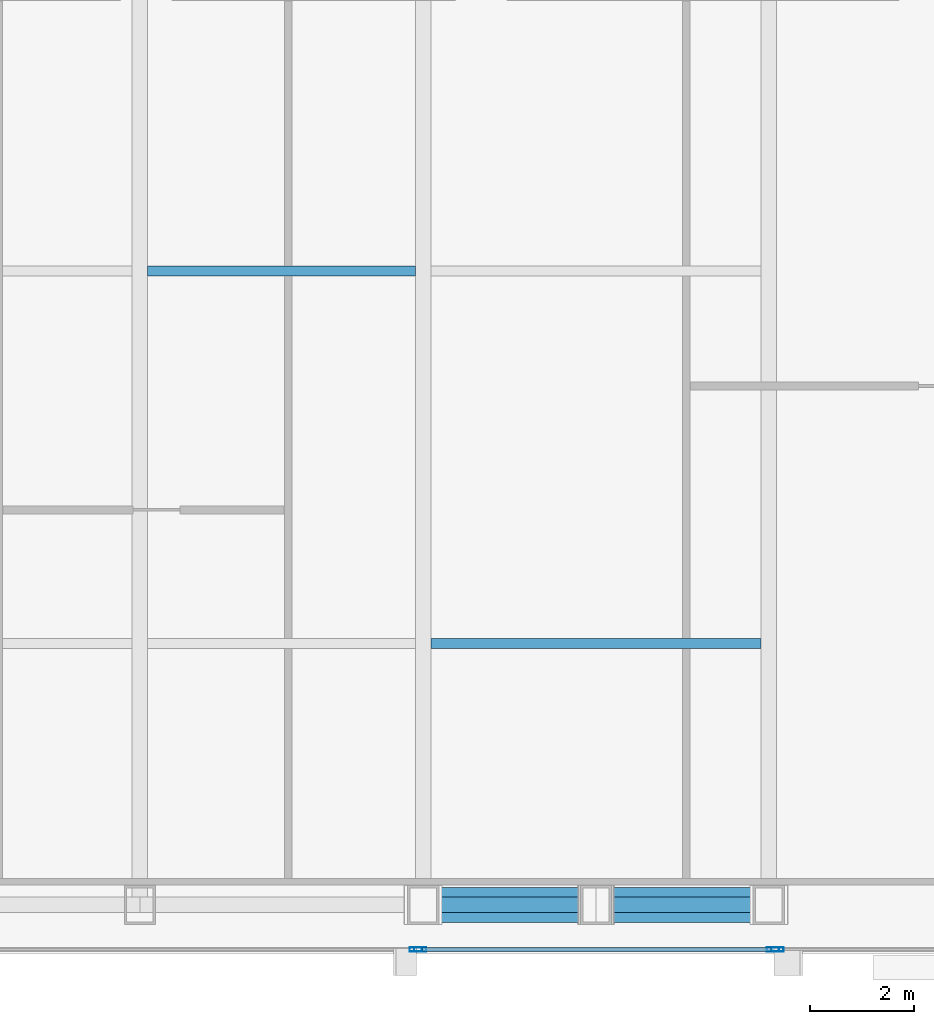
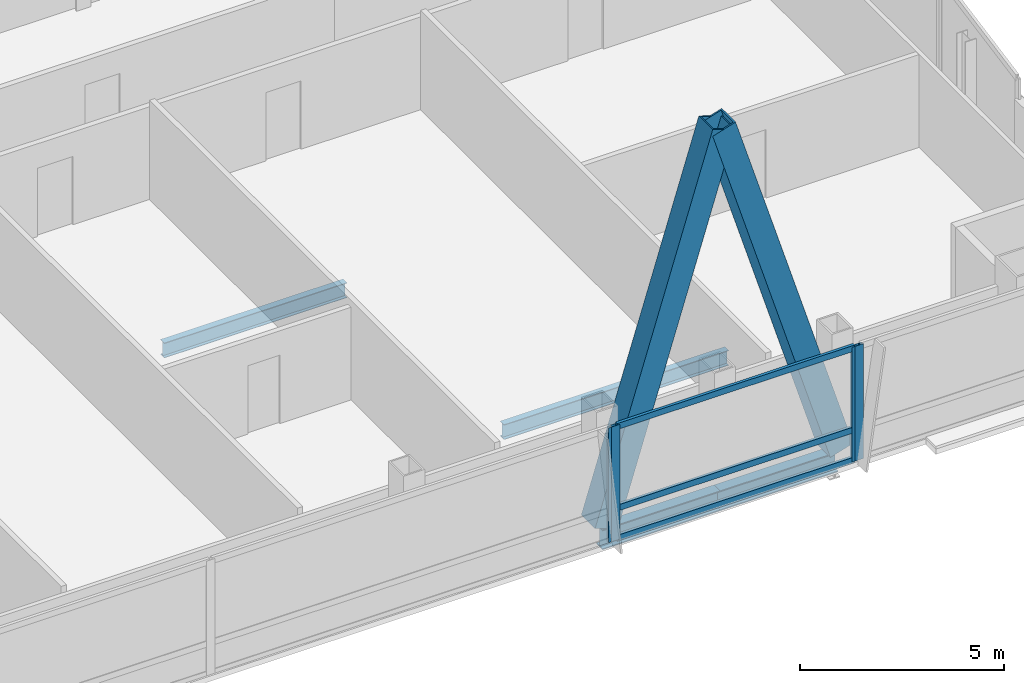
# One storey, part 14 of 30: 9 members, 4 beams, 3 elements without a shape of their own.
"""IFC4 building model written with IfcOpenShell, lengths in metres."""

from ifc_helpers import new_model, si_unit, direction, frame, origin, origin_2d, place, context, subcontext, project, spatial, hollow_rectangle, i_section, extrude, material, material_profile, profile_set, type_object, element, aggregate, save


model = new_model("IFC4")

# Units and contexts
model_context = context("Model", 3, precision=1e-05, world=origin(), true_north=direction((0.0, 1.0)))
body_context = subcontext(model_context, "Body", "Model", "MODEL_VIEW")
ifc_project = project(units=[si_unit("LENGTHUNIT", "METRE"), si_unit("AREAUNIT", "SQUARE_METRE"), si_unit("VOLUMEUNIT", "CUBIC_METRE"), si_unit("PLANEANGLEUNIT", "RADIAN"), si_unit("MASSUNIT", "GRAM", prefix="KILO")], contexts=[model_context])

# Site, building, storey
site_placement = place(None, origin())
site = spatial("IfcSite", under=ifc_project, at=site_placement, CompositionType="ELEMENT")
building_placement = place(site_placement, origin())
building = spatial("IfcBuilding", under=site, at=building_placement, Name="Khoronbel Lancet Exchange", CompositionType="ELEMENT")
storey_placement = place(building_placement, frame((0.0, 0.0, 239.0)))
storey = spatial("IfcBuildingStorey", under=building, at=storey_placement, Name="L61", CompositionType="ELEMENT", Elevation=239.0)

# Beams
ifc_material_1 = material(Name="Steel S355", Category="steel")
ifc_material_profile_1 = material_profile(ifc_material_1, i_section(OverallWidth=0.18994140625, OverallDepth=0.449951171875, WebThickness=0.009521484375, FlangeThickness=0.0146484375, at=origin_2d()), Name="IPE 450")
ifc_profile_set_1 = profile_set([ifc_material_profile_1], Name="Steel S355")
beam_type_1 = type_object("IfcBeamType", Name="BM-BJ4", PredefinedType="JOIST", material=ifc_profile_set_1)
beam_1_placement = place(storey_placement, frame((48.14990234375, 15.199951171875, -0.385009765625), z_axis=(1.0, 0.0, 0.0), x_axis=(0.0, 1.0, 0.0)))
element("IfcBeam", 1, at=beam_1_placement, inside=storey, type_object=beam_type_1, Name="Level L61 secondary composite joist J05", PredefinedType="JOIST", context=body_context, shape_type="SweptSolid", body=[
    extrude(i_section(OverallWidth=0.18994140625, OverallDepth=0.449951171875, WebThickness=0.009521484375, FlangeThickness=0.0146484375, at=origin_2d()), origin(), (0.0, 0.0, 1.0), 6.375),
])
beam_2_placement = place(storey_placement, frame((42.675048828125, 22.39990234375, -0.385009765625), z_axis=(1.0, 0.0, 0.0), x_axis=(0.0, 1.0, 0.0)))
element("IfcBeam", 2, at=beam_2_placement, inside=storey, type_object=beam_type_1, Name="Level L61 secondary composite joist J09", PredefinedType="JOIST", context=body_context, shape_type="SweptSolid", body=[
    extrude(i_section(OverallWidth=0.18994140625, OverallDepth=0.449951171875, WebThickness=0.009521484375, FlangeThickness=0.0146484375, at=origin_2d()), origin(), (0.0, 0.0, 1.0), 5.175048828125),
])
ifc_material_profile_2 = material_profile(ifc_material_1, i_section(OverallWidth=0.300048828125, OverallDepth=0.60009765625, WebThickness=0.015380859375, FlangeThickness=0.030029296875, at=origin_2d()), Name="HEB 600")
ifc_profile_set_2 = profile_set([ifc_material_profile_2], Name="Steel S355")
beam_type_2 = type_object("IfcBeamType", Name="BM-BSP2", PredefinedType="SPANDREL", material=ifc_profile_set_2)
beam_3_placement = place(storey_placement, frame((48.0, 10.14990234375, -0.4599609375), z_axis=(1.0, 0.0, 0.0), x_axis=(0.0, 1.0, 0.0)))
element("IfcBeam", 3, at=beam_3_placement, inside=storey, type_object=beam_type_2, Name="Level L61 perimeter spandrel beam SP06", PredefinedType="SPANDREL", context=body_context, shape_type="SweptSolid", body=[
    extrude(i_section(OverallWidth=0.300048828125, OverallDepth=0.60009765625, WebThickness=0.015380859375, FlangeThickness=0.030029296875, at=origin_2d()), origin(), (0.0, 0.0, 1.0), 3.33740234375),
])
beam_4_placement = place(storey_placement, frame((51.33740234375, 10.14990234375, -0.4599609375), z_axis=(1.0, 0.0, 0.0), x_axis=(0.0, 1.0, 0.0)))
element("IfcBeam", 4, at=beam_4_placement, inside=storey, type_object=beam_type_2, Name="Level L61 perimeter spandrel beam SP07", PredefinedType="SPANDREL", context=body_context, shape_type="SweptSolid", body=[
    extrude(i_section(OverallWidth=0.300048828125, OverallDepth=0.60009765625, WebThickness=0.015380859375, FlangeThickness=0.030029296875, at=origin_2d()), origin(), (0.0, 0.0, 1.0), 3.337646484375),
])

# Curtain wall, member
ifc_material_2 = material(Name="Low-E Solar Control Insulating Glass", Category="glass")
curtain_wall_type = type_object("IfcCurtainWallType", Name="CW-3", PredefinedType="NOTDEFINED", material=ifc_material_2)
curtain_wall_1_placement = place(storey_placement, origin())
curtain_wall_1 = element("IfcCurtainWall", 5, at=curtain_wall_1_placement, inside=storey, type_object=curtain_wall_type, Name="Unitised curtain wall CW-L61-SCV", PredefinedType="NOTDEFINED")
ifc_material_3 = material(Name="Bronze-Anodised Aluminium 6063-T6", Category="aluminium")
ifc_material_profile_3 = material_profile(ifc_material_3, hollow_rectangle(XDim=0.0849609375, YDim=0.239990234375, WallThickness=0.006103515625, at=origin_2d()), Name="ALU MULLION 85x240")
ifc_profile_set_3 = profile_set([ifc_material_profile_3], Name="Bronze-Anodised Aluminium 6063-T6")
member_type_1 = type_object("IfcMemberType", Name="MEM-CWM1", PredefinedType="MULLION", material=ifc_profile_set_3)
member_1_placement = place(storey_placement, frame((47.857421875, 9.2900390625, 0.0), z_axis=(0.0, 0.0, 1.0), x_axis=(0.0, 1.0, 0.0)))
member_1 = element("IfcMember", 6, at=member_1_placement, type_object=member_type_1, Name="CW3 mullion 3", PredefinedType="MULLION", context=body_context, shape_type="SweptSolid", body=[
    extrude(hollow_rectangle(XDim=0.0849609375, YDim=0.239990234375, WallThickness=0.006103515625, at=origin_2d()), origin(), (0.0, 0.0, 1.0), 3.43994140625),
])
aggregate(curtain_wall_1, [member_1])

# Curtain wall, members
curtain_wall_2_placement = place(storey_placement, origin())
curtain_wall_2 = element("IfcCurtainWall", 7, at=curtain_wall_2_placement, inside=storey, type_object=curtain_wall_type, Name="Unitised curtain wall CW-L61-SEB", PredefinedType="NOTDEFINED")
member_2_placement = place(storey_placement, frame((47.9423828125, 9.2900390625, 0.0), z_axis=(0.0, 0.0, 1.0), x_axis=(0.0, 1.0, 0.0)))
member_2 = element("IfcMember", 8, at=member_2_placement, type_object=member_type_1, Name="CW3 mullion 1", PredefinedType="MULLION", context=body_context, shape_type="SweptSolid", body=[
    extrude(hollow_rectangle(XDim=0.0849609375, YDim=0.239990234375, WallThickness=0.006103515625, at=origin_2d()), origin(), (0.0, 0.0, 1.0), 3.43994140625),
])
member_3_placement = place(storey_placement, frame((54.757568359375, 9.2900390625, 0.0), z_axis=(0.0, 0.0, 1.0), x_axis=(0.0, 1.0, 0.0)))
member_3 = element("IfcMember", 9, at=member_3_placement, type_object=member_type_1, Name="CW3 mullion 2", PredefinedType="MULLION", context=body_context, shape_type="SweptSolid", body=[
    extrude(hollow_rectangle(XDim=0.0849609375, YDim=0.239990234375, WallThickness=0.006103515625, at=origin_2d()), origin(), (0.0, 0.0, 1.0), 3.43994140625),
])

# Curtain wall, member
curtain_wall_3_placement = place(storey_placement, origin())
curtain_wall_3 = element("IfcCurtainWall", 10, at=curtain_wall_3_placement, inside=storey, type_object=curtain_wall_type, Name="Unitised curtain wall CW-L61-SEV", PredefinedType="NOTDEFINED")
member_4_placement = place(storey_placement, frame((54.842529296875, 9.2900390625, 0.0), z_axis=(0.0, 0.0, 1.0), x_axis=(0.0, 1.0, 0.0)))
member_4 = element("IfcMember", 11, at=member_4_placement, type_object=member_type_1, Name="CW3 mullion 1", PredefinedType="MULLION", context=body_context, shape_type="SweptSolid", body=[
    extrude(hollow_rectangle(XDim=0.0849609375, YDim=0.239990234375, WallThickness=0.006103515625, at=origin_2d()), origin(), (0.0, 0.0, 1.0), 3.43994140625),
])
aggregate(curtain_wall_3, [member_4])

# Member
ifc_material_profile_4 = material_profile(ifc_material_3, hollow_rectangle(XDim=0.0849609375, YDim=0.179931640625, WallThickness=0.0048828125, at=origin_2d()), Name="ALU TRANSOM 85x180")
ifc_profile_set_4 = profile_set([ifc_material_profile_4], Name="Bronze-Anodised Aluminium 6063-T6")
member_type_2 = type_object("IfcMemberType", Name="MEM-CWT1", PredefinedType="USERDEFINED", material=ifc_profile_set_4)
member_5_placement = place(storey_placement, frame((47.985107421875, 9.2900390625, 0.04248046875), z_axis=(1.0, 0.0, 0.0), x_axis=(0.0, 1.0, 0.0)))
member_5 = element("IfcMember", 12, at=member_5_placement, type_object=member_type_2, Name="CW3 transom 1.1", ObjectType="TRANSOM", PredefinedType="USERDEFINED", context=body_context, shape_type="SweptSolid", body=[
    extrude(hollow_rectangle(XDim=0.0849609375, YDim=0.179931640625, WallThickness=0.0048828125, at=origin_2d()), origin(), (0.0, 0.0, 1.0), 6.72998046875),
])

member_6_placement = place(storey_placement, frame((47.985107421875, 9.2900390625, 0.949951171875), z_axis=(1.0, 0.0, 0.0), x_axis=(0.0, 1.0, 0.0)))
member_6 = element("IfcMember", 13, at=member_6_placement, type_object=member_type_2, Name="CW3 transom 1.2", ObjectType="TRANSOM", PredefinedType="USERDEFINED", context=body_context, shape_type="SweptSolid", body=[
    extrude(hollow_rectangle(XDim=0.0849609375, YDim=0.179931640625, WallThickness=0.0048828125, at=origin_2d()), origin(), (0.0, 0.0, 1.0), 6.72998046875),
])

member_7_placement = place(storey_placement, frame((47.985107421875, 9.2900390625, 3.3974609375), z_axis=(1.0, 0.0, 0.0), x_axis=(0.0, 1.0, 0.0)))
member_7 = element("IfcMember", 14, at=member_7_placement, type_object=member_type_2, Name="CW3 transom 1.3", ObjectType="TRANSOM", PredefinedType="USERDEFINED", context=body_context, shape_type="SweptSolid", body=[
    extrude(hollow_rectangle(XDim=0.0849609375, YDim=0.179931640625, WallThickness=0.0048828125, at=origin_2d()), origin(), (0.0, 0.0, 1.0), 6.72998046875),
])

aggregate(curtain_wall_2, [member_2, member_3, member_5, member_6, member_7])

# Members
ifc_material_4 = material(Name="Steel S460", Category="steel")
ifc_material_profile_5 = material_profile(ifc_material_4, hollow_rectangle(XDim=0.679931640625, YDim=0.679931640625, WallThickness=0.044921875, at=origin_2d()), Name="BOX 680x680x45")
ifc_profile_set_5 = profile_set([ifc_material_profile_5], Name="Steel S460")
member_type_3 = type_object("IfcMemberType", Name="MEM-MB3", PredefinedType="BRACE", material=ifc_profile_set_5)
for number, where, z_axis, x_axis, name in (
    (15, (48.0, 10.14990234375, 0.0), (0.295242108906, 0.0, 0.955422470496), (0.0, 1.0, 0.0), "Perimeter lancet brace tier 21 S-E-L"),
    (16, (54.675048828125, 10.14990234375, 0.0), (-0.295261823895, 0.0, 0.955416378), (0.0, -1.0, 0.0), "Perimeter lancet brace tier 21 S-E-R"),
):
    element("IfcMember", number, at=place(storey_placement, frame(where, z_axis=z_axis, x_axis=x_axis)), inside=storey, type_object=member_type_3, Name=name, PredefinedType="BRACE", context=body_context, shape_type="SweptSolid", body=[
        extrude(hollow_rectangle(XDim=0.679931640625, YDim=0.679931640625, WallThickness=0.044921875, at=origin_2d()), origin(), (0.0, 0.0, 1.0), 11.303955078125),
    ])

save(model, "model.ifc")
